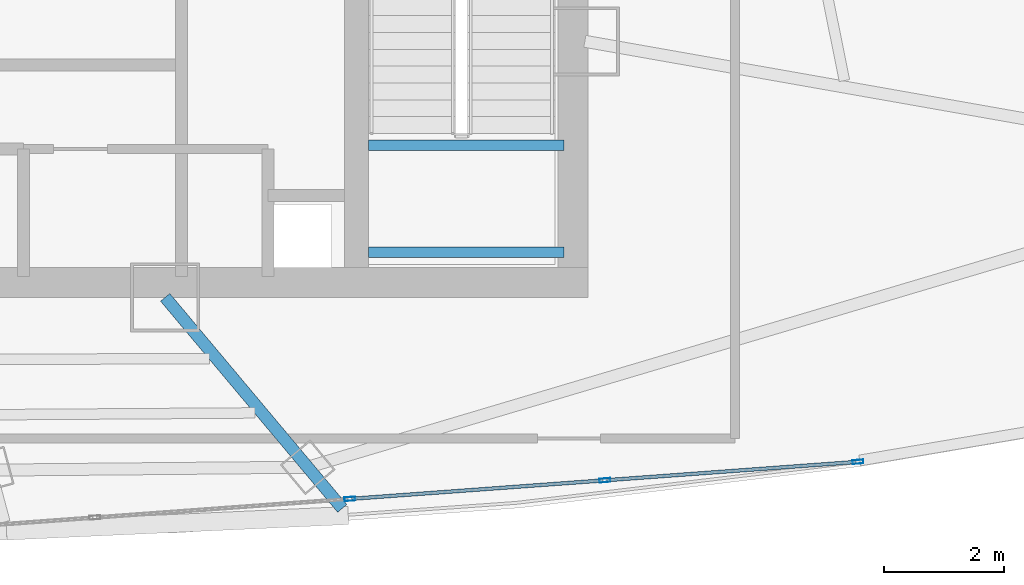
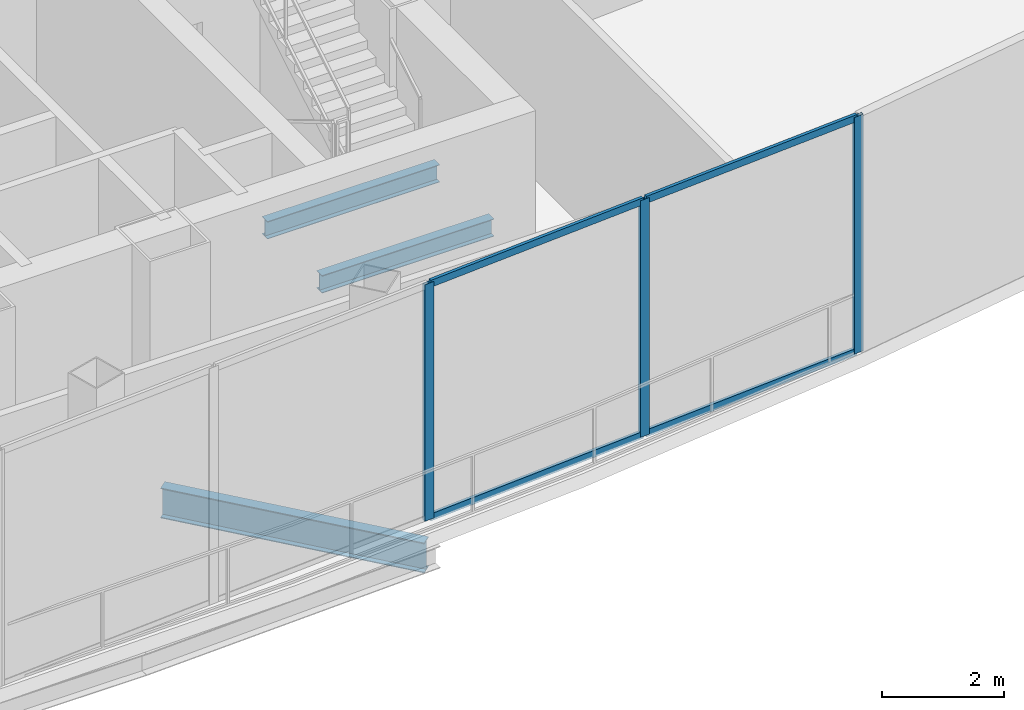
# One storey, part 14 of 33: 7 members, 3 beams, 1 element without a shape of its own.
"""IFC4 building model written with IfcOpenShell, lengths in metres."""

from ifc_helpers import new_model, si_unit, direction, frame, origin, origin_2d, place, context, subcontext, project, spatial, hollow_rectangle, i_section, extrude, source, transform, mapped, material, layer, layer_set, material_profile, profile_set, type_object, element, aggregate, save


model = new_model("IFC4")

# Units and contexts
model_context = context("Model", 3, precision=1e-05, world=origin(), true_north=direction((0.0, 1.0)))
body_context = subcontext(model_context, "Body", "Model", "MODEL_VIEW")
ifc_project = project(units=[si_unit("LENGTHUNIT", "METRE"), si_unit("AREAUNIT", "SQUARE_METRE"), si_unit("VOLUMEUNIT", "CUBIC_METRE"), si_unit("PLANEANGLEUNIT", "RADIAN"), si_unit("MASSUNIT", "GRAM", prefix="KILO"), si_unit("THERMODYNAMICTEMPERATUREUNIT", "KELVIN"), si_unit("POWERUNIT", "WATT")], contexts=[model_context])

# Site, building, storey
site_placement = place(None, origin())
site = spatial("IfcSite", under=ifc_project, at=site_placement, CompositionType="ELEMENT")
building_placement = place(site_placement, origin())
building = spatial("IfcBuilding", under=site, at=building_placement, Name="Yunzhuo Pagoda Commons", CompositionType="ELEMENT")
storey_placement = place(building_placement, frame((0.0, 0.0, 391.760009765625)))
storey = spatial("IfcBuildingStorey", under=building, at=storey_placement, Name="L97", CompositionType="ELEMENT", Elevation=391.760009765625)

# Beams
ifc_material_1 = material(Name="Structural steel Q355B", Category="steel")
ifc_material_profile_1 = material_profile(ifc_material_1, i_section(OverallWidth=0.175048828125, OverallDepth=0.35009765625, WebThickness=0.007080078125, FlangeThickness=0.010986328125, at=origin_2d()), Name="Structural steel Q355B")
ifc_profile_set_1 = profile_set([ifc_material_profile_1], Name="Structural steel Q355B")
beam_type_1 = type_object("IfcBeamType", Name="B-JS2 Joist HN 350x175x7x11", PredefinedType="JOIST", material=ifc_profile_set_1)
shared_shape_1 = source(origin(), body_context, "Body", "SweptSolid", [
    extrude(i_section(OverallWidth=0.175048828125, OverallDepth=0.35009765625, WebThickness=0.007080078125, FlangeThickness=0.010986328125, at=origin_2d()), origin(), (0.0, 0.0, 1.0), 3.25),
])
for number, where, z_axis, x_axis, name in (
    (1, (56.800048828125, 28.0, 2.125), (1.0, 0.0, 0.0), (0.0, 1.0, 0.0), "L97 ST2 landing support beam 103A"),
    (2, (56.800048828125, 29.780029296875, 2.125), (1.0, 0.0, 0.0), (0.0, 1.0, 0.0), "L97 ST2 landing support beam 103B"),
):
    element("IfcBeam", number, at=place(storey_placement, frame(where, z_axis=z_axis, x_axis=x_axis)), inside=storey, type_object=beam_type_1, Name=name, PredefinedType="JOIST", context=body_context, shape_type="MappedRepresentation", body=[
        mapped(shared_shape_1, transform((0.0, 0.0, 0.0), scale=1.0)),
    ])
ifc_material_profile_2 = material_profile(ifc_material_1, i_section(OverallWidth=0.199951171875, OverallDepth=0.60009765625, WebThickness=0.010986328125, FlangeThickness=0.01708984375, at=origin_2d()), Name="Structural steel Q355B")
ifc_profile_set_2 = profile_set([ifc_material_profile_2], Name="Structural steel Q355B")
beam_type_2 = type_object("IfcBeamType", Name="B-RG3 Beam HN 600x200x11x17", PredefinedType="BEAM", material=ifc_profile_set_2)
shared_shape_2 = source(origin(), body_context, "Body", "SweptSolid", [
    extrude(i_section(OverallWidth=0.199951171875, OverallDepth=0.60009765625, WebThickness=0.010986328125, FlangeThickness=0.01708984375, at=origin_2d()), origin(), (0.0, 0.0, 1.0), 4.587158203125),
])
beam_placement = place(storey_placement, frame((56.360595703125, 23.736083984375, -0.580078125), z_axis=(-0.642782581433, 0.766048662297, 0.0), x_axis=(-0.766048662297, -0.642782581433, 0.0)))
element("IfcBeam", 3, at=beam_placement, inside=storey, type_object=beam_type_2, Name="L97 radial floor girder F1C4", PredefinedType="BEAM", context=body_context, shape_type="MappedRepresentation", body=[
    mapped(shared_shape_2, transform((0.0, 0.0, 0.0), scale=1.0)),
])

# Curtain wall, members
ifc_material_2 = material(Name="Anodized aluminium 6063-T6", Category="aluminium")
ifc_layer = layer(ifc_material_2, 0.179931640625)
ifc_layer_set = layer_set([ifc_layer], Name="Anodized aluminium 6063-T6")
curtain_wall_type = type_object("IfcCurtainWallType", Name="CW-CRN Crown Gable Glazing System", PredefinedType="NOTDEFINED", material=ifc_layer_set)
curtain_wall_placement = place(storey_placement, origin())
curtain_wall = element("IfcCurtainWall", 4, at=curtain_wall_placement, inside=storey, type_object=curtain_wall_type, Name="L97 curtain wall CW-L97-CRNF1G2", PredefinedType="NOTDEFINED")
ifc_material_profile_3 = material_profile(ifc_material_2, hollow_rectangle(XDim=0.06494140625, YDim=0.179931640625, WallThickness=0.00390625, at=origin_2d()), Name="Anodized aluminium 6063-T6")
ifc_profile_set_3 = profile_set([ifc_material_profile_3], Name="Anodized aluminium 6063-T6")
member_type_1 = type_object("IfcMemberType", Name="CW-CRN-M Mullion RHS 180x65x4", PredefinedType="MULLION", material=ifc_profile_set_3)
shared_shape_3 = source(origin(), body_context, "Body", "SweptSolid", [
    extrude(hollow_rectangle(XDim=0.06494140625, YDim=0.179931640625, WallThickness=0.00390625, at=origin_2d()), origin(), (0.0, 0.0, 1.0), 4.72021484375),
])
member_1_placement = place(storey_placement, frame((56.486572265625, 23.8935546875, 0.0), z_axis=(0.0, 0.0, 1.0), x_axis=(-0.072795997095, 0.997346851806, 0.0)))
member_1 = element("IfcMember", 5, at=member_1_placement, type_object=member_type_1, Name="CW mullion 3", PredefinedType="MULLION", context=body_context, shape_type="MappedRepresentation", body=[
    mapped(shared_shape_3, transform((0.0, 0.0, 0.0), scale=1.0)),
])
member_2_placement = place(storey_placement, frame((60.732666015625, 24.20361328125, 0.0), z_axis=(0.0, 0.0, 1.0), x_axis=(-0.072795997095, 0.997346851806, 0.0)))
member_2 = element("IfcMember", 6, at=member_2_placement, type_object=member_type_1, Name="CW mullion 4", PredefinedType="MULLION", context=body_context, shape_type="MappedRepresentation", body=[
    mapped(shared_shape_3, transform((0.0, 0.0, 0.0), scale=1.0)),
])
member_3_placement = place(storey_placement, frame((64.9462890625, 24.511474609375, 0.0), z_axis=(0.0, 0.0, 1.0), x_axis=(-0.072795997095, 0.997346851806, 0.0)))
member_3 = element("IfcMember", 7, at=member_3_placement, type_object=member_type_1, Name="CW mullion 5", PredefinedType="MULLION", context=body_context, shape_type="MappedRepresentation", body=[
    mapped(shared_shape_3, transform((0.0, 0.0, 0.0), scale=1.0)),
])
ifc_material_profile_4 = material_profile(ifc_material_2, hollow_rectangle(XDim=0.06005859375, YDim=0.139892578125, WallThickness=0.00341796875, at=origin_2d()), Name="Anodized aluminium 6063-T6")
ifc_profile_set_4 = profile_set([ifc_material_profile_4], Name="Anodized aluminium 6063-T6")
member_type_2 = type_object("IfcMemberType", Name="CW-CRN-T Transom RHS 140x60x3.5", PredefinedType="USERDEFINED", material=ifc_profile_set_4)
shared_shape_4 = source(origin(), body_context, "Body", "SweptSolid", [
    extrude(hollow_rectangle(XDim=0.06005859375, YDim=0.139892578125, WallThickness=0.00341796875, at=origin_2d()), origin(), (0.0, 0.0, 1.0), 4.192626953125),
])
member_4_placement = place(storey_placement, frame((56.518798828125, 23.89599609375, 0.030029296875), z_axis=(0.99734724805, 0.072790568113, 0.0), x_axis=(-0.072790568113, 0.99734724805, 0.0)))
member_4 = element("IfcMember", 8, at=member_4_placement, type_object=member_type_2, Name="CW transom 3.1", ObjectType="TRANSOM", PredefinedType="USERDEFINED", context=body_context, shape_type="MappedRepresentation", body=[
    mapped(shared_shape_4, transform((0.0, 0.0, 0.0), scale=1.0)),
])
member_5_placement = place(storey_placement, frame((56.518798828125, 23.89599609375, 4.68994140625), z_axis=(0.99734724805, 0.072790568113, 0.0), x_axis=(-0.072790568113, 0.99734724805, 0.0)))
member_5 = element("IfcMember", 9, at=member_5_placement, type_object=member_type_2, Name="CW transom 3.2", ObjectType="TRANSOM", PredefinedType="USERDEFINED", context=body_context, shape_type="MappedRepresentation", body=[
    mapped(shared_shape_4, transform((0.0, 0.0, 0.0), scale=1.0)),
])
shared_shape_5 = source(origin(), body_context, "Body", "SweptSolid", [
    extrude(hollow_rectangle(XDim=0.06005859375, YDim=0.139892578125, WallThickness=0.00341796875, at=origin_2d()), origin(), (0.0, 0.0, 1.0), 4.16015625),
])
member_6_placement = place(storey_placement, frame((60.76513671875, 24.2060546875, 0.030029296875), z_axis=(0.997348807495, 0.072769198076, 0.0), x_axis=(-0.072769198076, 0.997348807495, 0.0)))
member_6 = element("IfcMember", 10, at=member_6_placement, type_object=member_type_2, Name="CW transom 4.1", ObjectType="TRANSOM", PredefinedType="USERDEFINED", context=body_context, shape_type="MappedRepresentation", body=[
    mapped(shared_shape_5, transform((0.0, 0.0, 0.0), scale=1.0)),
])
member_7_placement = place(storey_placement, frame((60.76513671875, 24.2060546875, 4.68994140625), z_axis=(0.997348807495, 0.072769198076, 0.0), x_axis=(-0.072769198076, 0.997348807495, 0.0)))
member_7 = element("IfcMember", 11, at=member_7_placement, type_object=member_type_2, Name="CW transom 4.2", ObjectType="TRANSOM", PredefinedType="USERDEFINED", context=body_context, shape_type="MappedRepresentation", body=[
    mapped(shared_shape_5, transform((0.0, 0.0, 0.0), scale=1.0)),
])
aggregate(curtain_wall, [member_1, member_2, member_3, member_4, member_5, member_6, member_7])

save(model, "model.ifc")
